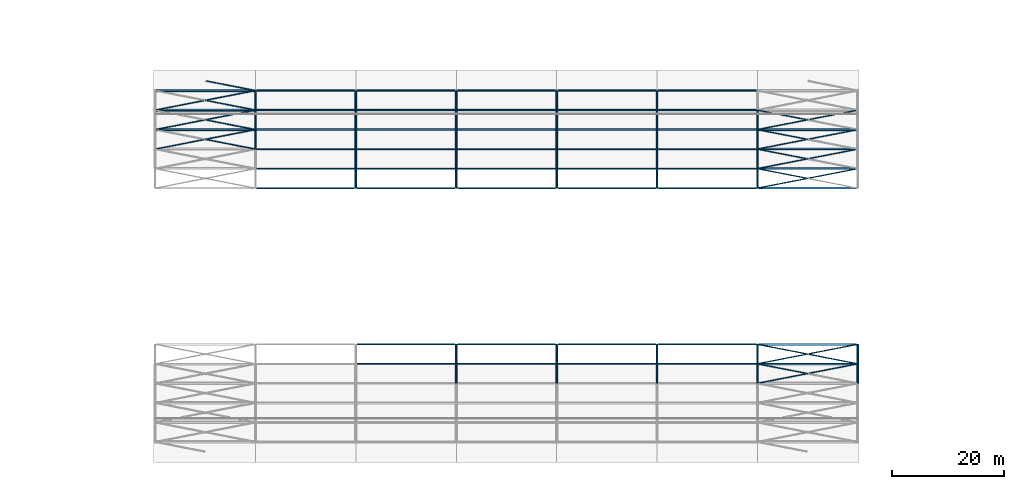
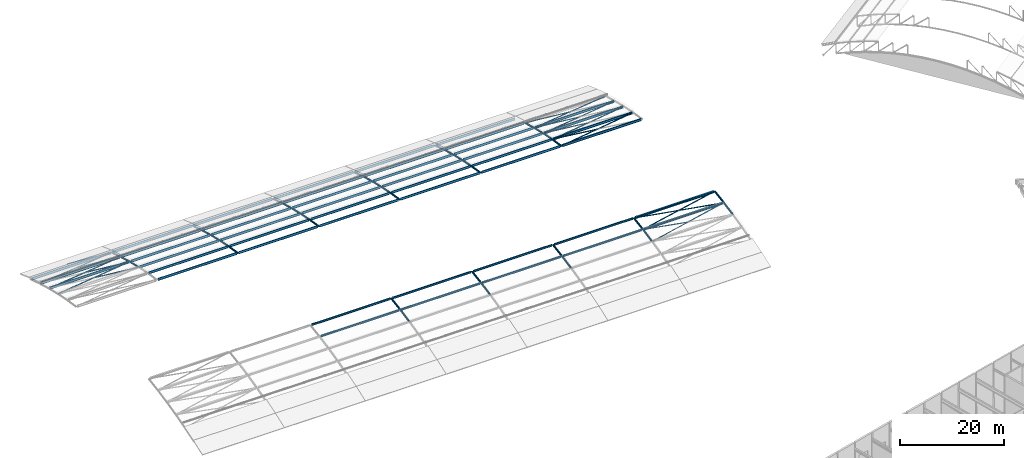
# One storey, part 12 of 69: 104 members.
"""IFC4 building model written with IfcOpenShell, lengths in metres."""

from ifc_helpers import new_model, si_unit, direction, frame, origin, origin_2d, place, context, subcontext, project, spatial, hollow_circle, i_section, extrude, material, material_profile, profile_set, type_object, element, save


model = new_model("IFC4")

# Units and contexts
model_context = context("Model", 3, precision=1e-05, world=origin(), true_north=direction((0.0, 1.0)))
body_context = subcontext(model_context, "Body", "Model", "MODEL_VIEW")
ifc_project = project(units=[si_unit("LENGTHUNIT", "METRE"), si_unit("AREAUNIT", "SQUARE_METRE"), si_unit("VOLUMEUNIT", "CUBIC_METRE"), si_unit("PLANEANGLEUNIT", "RADIAN"), si_unit("MASSUNIT", "GRAM", prefix="KILO")], contexts=[model_context])

# Site, building, storey
site_placement = place(None, origin())
site = spatial("IfcSite", under=ifc_project, at=site_placement, CompositionType="ELEMENT")
building_placement = place(site_placement, origin())
building = spatial("IfcBuilding", under=site, at=building_placement, Name="Okhra Congress Centre", CompositionType="ELEMENT")
storey_placement = place(building_placement, frame((0.0, 0.0, 16.800048828125)))
storey = spatial("IfcBuildingStorey", under=building, at=storey_placement, Name="L03", CompositionType="ELEMENT", Elevation=16.800048828125)

# Members
ifc_material_1 = material(Name="Steel S355J2H", Category="steel")
ifc_material_profile_1 = material_profile(ifc_material_1, hollow_circle(Radius=0.06982421875, WallThickness=0.00634765625, at=origin_2d()), Name="CHS 139.7x6.3")
ifc_profile_set_1 = profile_set([ifc_material_profile_1], Name="Steel S355J2H")
member_type_1 = type_object("IfcMemberType", Name="CHS 139.7x6.3", PredefinedType="BRACE", material=ifc_profile_set_1)
member_1_placement = place(storey_placement, frame((28.185546875, 195.0361328125, 3.7275390625), z_axis=(0.980610453265, 0.190668219087, -0.045263331497), x_axis=(-0.190863837306, 0.981616521667, 0.0)))
element("IfcMember", 1, at=member_1_placement, inside=storey, type_object=member_type_1, Name="EH.MEM.L03.XB1-19-1", PredefinedType="BRACE", context=body_context, shape_type="SweptSolid", body=[
    extrude(hollow_circle(Radius=0.06982421875, WallThickness=0.00634765625, at=origin_2d()), origin(), (0.0, 0.0, 1.0), 17.9775390625),
])
member_2_placement = place(storey_placement, frame((45.814453125, 195.0361328125, 3.7275390625), z_axis=(-0.98061091853, 0.190666660568, -0.045259816699), x_axis=(-0.190862246763, -0.981616830928, 0.0)))
element("IfcMember", 2, at=member_2_placement, inside=storey, type_object=member_type_1, Name="EH.MEM.L03.XB1-19-2a", PredefinedType="BRACE", context=body_context, shape_type="SweptSolid", body=[
    extrude(hollow_circle(Radius=0.06982421875, WallThickness=0.00634765625, at=origin_2d()), origin(), (0.0, 0.0, 1.0), 8.824951171875),
])
member_3_placement = place(storey_placement, frame((28.185546875, 198.5361328125, 2.895263671875), z_axis=(0.980253173661, 0.190598750252, -0.052686164511), x_axis=(-0.190863837306, 0.981616521667, 0.0)))
element("IfcMember", 3, at=member_3_placement, inside=storey, type_object=member_type_1, Name="EH.MEM.L03.XB1-20-1", PredefinedType="BRACE", context=body_context, shape_type="SweptSolid", body=[
    extrude(hollow_circle(Radius=0.06982421875, WallThickness=0.00634765625, at=origin_2d()), origin(), (0.0, 0.0, 1.0), 17.984130859375),
])
member_4_placement = place(storey_placement, frame((45.814453125, 198.5361328125, 2.895263671875), z_axis=(-0.980256075454, 0.190587683076, -0.052672208945), x_axis=(-0.190852614039, -0.981618703833, 0.0)))
element("IfcMember", 4, at=member_4_placement, inside=storey, type_object=member_type_1, Name="EH.MEM.L03.XB1-20-2a", PredefinedType="BRACE", context=body_context, shape_type="SweptSolid", body=[
    extrude(hollow_circle(Radius=0.06982421875, WallThickness=0.00634765625, at=origin_2d()), origin(), (0.0, 0.0, 1.0), 8.829833984375),
])
member_5_placement = place(storey_placement, frame((28.185546875, 202.0361328125, 1.92626953125), z_axis=(0.97982688214, 0.190515862858, -0.06035716225), x_axis=(-0.190863837306, 0.981616521667, 0.0)))
element("IfcMember", 5, at=member_5_placement, inside=storey, type_object=member_type_1, Name="EH.MEM.L03.XB1-21-1", PredefinedType="BRACE", context=body_context, shape_type="SweptSolid", body=[
    extrude(hollow_circle(Radius=0.06982421875, WallThickness=0.00634765625, at=origin_2d()), origin(), (0.0, 0.0, 1.0), 17.991943359375),
])
member_6_placement = place(storey_placement, frame((45.814453125, 202.0361328125, 1.92626953125), z_axis=(-0.979826295079, 0.190521779599, -0.060348015467), x_axis=(-0.190869659102, -0.981615389669, 0.0)))
element("IfcMember", 6, at=member_6_placement, inside=storey, type_object=member_type_1, Name="EH.MEM.L03.XB1-21-2a", PredefinedType="BRACE", context=body_context, shape_type="SweptSolid", body=[
    extrude(hollow_circle(Radius=0.06982421875, WallThickness=0.00634765625, at=origin_2d()), origin(), (0.0, 0.0, 1.0), 8.83544921875),
])
member_7_placement = place(storey_placement, frame((45.814453125, 205.5361328125, 0.816162109375), z_axis=(-0.979323118912, 0.190430842458, -0.068281205364), x_axis=(-0.190876325854, -0.981614093332, 0.0)))
element("IfcMember", 7, at=member_7_placement, inside=storey, type_object=member_type_1, Name="EH.MEM.L03.XB1-22-2a", PredefinedType="BRACE", context=body_context, shape_type="SweptSolid", body=[
    extrude(hollow_circle(Radius=0.06982421875, WallThickness=0.00634765625, at=origin_2d()), origin(), (0.0, 0.0, 1.0), 8.84228515625),
])
member_8_placement = place(storey_placement, frame((136.185546875, 153.0361328125, 3.7431640625), z_axis=(0.980907189867, 0.190725916044, 0.038009338539), x_axis=(-0.190863837306, 0.981616521667, 0.0)))
element("IfcMember", 8, at=member_8_placement, inside=storey, type_object=member_type_1, Name="EH.MEM.L03.XB7-07-1", PredefinedType="BRACE", context=body_context, shape_type="SweptSolid", body=[
    extrude(hollow_circle(Radius=0.06982421875, WallThickness=0.00634765625, at=origin_2d()), origin(), (0.0, 0.0, 1.0), 17.971923828125),
])
member_9_placement = place(storey_placement, frame((144.838134765625, 154.781494140625, 4.091064453125), z_axis=(-0.980907961626, 0.190723646725, 0.038000807859), x_axis=(-0.190861504377, -0.981616975274, 0.0)))
element("IfcMember", 9, at=member_9_placement, inside=storey, type_object=member_type_1, Name="EH.MEM.L03.XB7-07-2b", PredefinedType="BRACE", context=body_context, shape_type="SweptSolid", body=[
    extrude(hollow_circle(Radius=0.06982421875, WallThickness=0.00634765625, at=origin_2d()), origin(), (0.0, 0.0, 1.0), 8.821044921875),
])
member_10_placement = place(storey_placement, frame((136.185546875, 156.5361328125, 4.439208984375), z_axis=(0.981147821902, 0.190772704126, 0.030898655925), x_axis=(-0.190863837306, 0.981616521667, 0.0)))
element("IfcMember", 10, at=member_10_placement, inside=storey, type_object=member_type_1, Name="EH.MEM.L03.XB7-08-1", PredefinedType="BRACE", context=body_context, shape_type="SweptSolid", body=[
    extrude(hollow_circle(Radius=0.06982421875, WallThickness=0.00634765625, at=origin_2d()), origin(), (0.0, 0.0, 1.0), 17.967529296875),
])
for number, where, z_axis, x_axis, name in (
    (11, (153.814453125, 156.5361328125, 4.439208984375), (-0.981148388072, 0.190769623937, 0.030899695256), (-0.190860761781, -0.981617119661, 0.0), "EH.MEM.L03.XB7-08-2a"),
    (12, (144.8369140625, 158.28173828125, 4.721923828125), (-0.981148388072, 0.190769623937, 0.030899695256), (-0.190860761781, -0.981617119661, 0.0), "EH.MEM.L03.XB7-08-2b"),
):
    element("IfcMember", number, at=place(storey_placement, frame(where, z_axis=z_axis, x_axis=x_axis)), inside=storey, type_object=member_type_1, Name=name, PredefinedType="BRACE", context=body_context, shape_type="SweptSolid", body=[
        extrude(hollow_circle(Radius=0.06982421875, WallThickness=0.00634765625, at=origin_2d()), origin(), (0.0, 0.0, 1.0), 8.817626953125),
    ])
member_11_placement = place(storey_placement, frame((136.185546875, 188.0361328125, 4.994384765625), z_axis=(0.981147821902, 0.190772704126, -0.030898655925), x_axis=(-0.190863837306, 0.981616521667, 0.0)))
element("IfcMember", 13, at=member_11_placement, inside=storey, type_object=member_type_1, Name="EH.MEM.L03.XB7-17-1", PredefinedType="BRACE", context=body_context, shape_type="SweptSolid", body=[
    extrude(hollow_circle(Radius=0.06982421875, WallThickness=0.00634765625, at=origin_2d()), origin(), (0.0, 0.0, 1.0), 17.967529296875),
])
member_12_placement = place(storey_placement, frame((144.8369140625, 189.78173828125, 4.711669921875), z_axis=(-0.981148388072, 0.190769623937, -0.030899695256), x_axis=(-0.190860761781, -0.981617119661, 0.0)))
element("IfcMember", 14, at=member_12_placement, inside=storey, type_object=member_type_1, Name="EH.MEM.L03.XB7-17-2b", PredefinedType="BRACE", context=body_context, shape_type="SweptSolid", body=[
    extrude(hollow_circle(Radius=0.06982421875, WallThickness=0.00634765625, at=origin_2d()), origin(), (0.0, 0.0, 1.0), 8.817626953125),
])
member_13_placement = place(storey_placement, frame((136.185546875, 191.5361328125, 4.42626953125), z_axis=(0.980907189867, 0.190725916044, -0.038009338539), x_axis=(-0.190863837306, 0.981616521667, 0.0)))
element("IfcMember", 15, at=member_13_placement, inside=storey, type_object=member_type_1, Name="EH.MEM.L03.XB7-18-1", PredefinedType="BRACE", context=body_context, shape_type="SweptSolid", body=[
    extrude(hollow_circle(Radius=0.06982421875, WallThickness=0.00634765625, at=origin_2d()), origin(), (0.0, 0.0, 1.0), 17.971923828125),
])
member_14_placement = place(storey_placement, frame((144.838134765625, 193.281494140625, 4.078369140625), z_axis=(-0.980907961626, 0.190723646725, -0.038000807859), x_axis=(-0.190861504377, -0.981616975274, 0.0)))
element("IfcMember", 16, at=member_14_placement, inside=storey, type_object=member_type_1, Name="EH.MEM.L03.XB7-18-2b", PredefinedType="BRACE", context=body_context, shape_type="SweptSolid", body=[
    extrude(hollow_circle(Radius=0.06982421875, WallThickness=0.00634765625, at=origin_2d()), origin(), (0.0, 0.0, 1.0), 8.821044921875),
])
member_15_placement = place(storey_placement, frame((136.185546875, 195.0361328125, 3.7275390625), z_axis=(0.980610453265, 0.190668219087, -0.045263331497), x_axis=(-0.190863837306, 0.981616521667, 0.0)))
element("IfcMember", 17, at=member_15_placement, inside=storey, type_object=member_type_1, Name="EH.MEM.L03.XB7-19-1", PredefinedType="BRACE", context=body_context, shape_type="SweptSolid", body=[
    extrude(hollow_circle(Radius=0.06982421875, WallThickness=0.00634765625, at=origin_2d()), origin(), (0.0, 0.0, 1.0), 17.9775390625),
])
member_16_placement = place(storey_placement, frame((144.83935546875, 196.78125, 3.313232421875), z_axis=(-0.98061091853, 0.190666660568, -0.045259816699), x_axis=(-0.190862246763, -0.981616830928, 0.0)))
element("IfcMember", 18, at=member_16_placement, inside=storey, type_object=member_type_1, Name="EH.MEM.L03.XB7-19-2b", PredefinedType="BRACE", context=body_context, shape_type="SweptSolid", body=[
    extrude(hollow_circle(Radius=0.06982421875, WallThickness=0.00634765625, at=origin_2d()), origin(), (0.0, 0.0, 1.0), 8.824951171875),
])
member_17_placement = place(storey_placement, frame((136.185546875, 198.5361328125, 2.895263671875), z_axis=(0.980253173661, 0.190598750252, -0.052686164511), x_axis=(-0.190863837306, 0.981616521667, 0.0)))
element("IfcMember", 19, at=member_17_placement, inside=storey, type_object=member_type_1, Name="EH.MEM.L03.XB7-20-1", PredefinedType="BRACE", context=body_context, shape_type="SweptSolid", body=[
    extrude(hollow_circle(Radius=0.06982421875, WallThickness=0.00634765625, at=origin_2d()), origin(), (0.0, 0.0, 1.0), 17.984130859375),
])
member_18_placement = place(storey_placement, frame((144.841064453125, 200.281005859375, 2.4130859375), z_axis=(-0.980254647479, 0.19058740544, -0.052699781629), x_axis=(-0.190852614039, -0.981618703833, 0.0)))
element("IfcMember", 20, at=member_18_placement, inside=storey, type_object=member_type_1, Name="EH.MEM.L03.XB7-20-2b", PredefinedType="BRACE", context=body_context, shape_type="SweptSolid", body=[
    extrude(hollow_circle(Radius=0.06982421875, WallThickness=0.00634765625, at=origin_2d()), origin(), (0.0, 0.0, 1.0), 8.829833984375),
])
ifc_material_profile_2 = material_profile(ifc_material_1, hollow_circle(Radius=0.203125, WallThickness=0.01611328125, at=origin_2d()), Name="CHS 406.4x16.0")
ifc_profile_set_2 = profile_set([ifc_material_profile_2], Name="Steel S355J2H")
member_type_2 = type_object("IfcMemberType", Name="CHS 406.4x16.0", PredefinedType="CHORD", material=ifc_profile_set_2)
member_19_placement = place(storey_placement, frame((46.0, 195.0, 3.736083984375), z_axis=(0.0, 0.972964008489, -0.230956788566), x_axis=(-1.0, 0.0, 0.0)))
element("IfcMember", 21, at=member_19_placement, inside=storey, type_object=member_type_2, Name="EH.MEM.L03.T2-TOP-19", PredefinedType="CHORD", context=body_context, shape_type="SweptSolid", body=[
    extrude(hollow_circle(Radius=0.203125, WallThickness=0.01611328125, at=origin_2d()), origin(), (0.0, 0.0, 1.0), 3.59716796875),
])
member_20_placement = place(storey_placement, frame((46.0, 198.5, 2.9052734375), z_axis=(0.0, 0.96385043732, -0.266443867404), x_axis=(-1.0, 0.0, 0.0)))
element("IfcMember", 22, at=member_20_placement, inside=storey, type_object=member_type_2, Name="EH.MEM.L03.T2-TOP-20", PredefinedType="CHORD", context=body_context, shape_type="SweptSolid", body=[
    extrude(hollow_circle(Radius=0.203125, WallThickness=0.01611328125, at=origin_2d()), origin(), (0.0, 0.0, 1.0), 3.63134765625),
])
member_21_placement = place(storey_placement, frame((64.0, 188.0, 5.000244140625), z_axis=(0.0, 0.987135453692, -0.159886197229), x_axis=(-1.0, 0.0, 0.0)))
element("IfcMember", 23, at=member_21_placement, inside=storey, type_object=member_type_2, Name="EH.MEM.L03.T3-TOP-17", PredefinedType="CHORD", context=body_context, shape_type="SweptSolid", body=[
    extrude(hollow_circle(Radius=0.203125, WallThickness=0.01611328125, at=origin_2d()), origin(), (0.0, 0.0, 1.0), 3.545654296875),
])
member_22_placement = place(storey_placement, frame((64.0, 191.5, 4.433349609375), z_axis=(0.0, 0.980727743848, -0.19537935522), x_axis=(-1.0, 0.0, 0.0)))
element("IfcMember", 24, at=member_22_placement, inside=storey, type_object=member_type_2, Name="EH.MEM.L03.T3-TOP-18", PredefinedType="CHORD", context=body_context, shape_type="SweptSolid", body=[
    extrude(hollow_circle(Radius=0.203125, WallThickness=0.01611328125, at=origin_2d()), origin(), (0.0, 0.0, 1.0), 3.56884765625),
])
member_23_placement = place(storey_placement, frame((64.0, 195.0, 3.736083984375), z_axis=(0.0, 0.972964008489, -0.230956788566), x_axis=(-1.0, 0.0, 0.0)))
element("IfcMember", 25, at=member_23_placement, inside=storey, type_object=member_type_2, Name="EH.MEM.L03.T3-TOP-19", PredefinedType="CHORD", context=body_context, shape_type="SweptSolid", body=[
    extrude(hollow_circle(Radius=0.203125, WallThickness=0.01611328125, at=origin_2d()), origin(), (0.0, 0.0, 1.0), 3.59716796875),
])
member_24_placement = place(storey_placement, frame((64.0, 198.5, 2.9052734375), z_axis=(0.0, 0.96385043732, -0.266443867404), x_axis=(-1.0, 0.0, 0.0)))
element("IfcMember", 26, at=member_24_placement, inside=storey, type_object=member_type_2, Name="EH.MEM.L03.T3-TOP-20", PredefinedType="CHORD", context=body_context, shape_type="SweptSolid", body=[
    extrude(hollow_circle(Radius=0.203125, WallThickness=0.01611328125, at=origin_2d()), origin(), (0.0, 0.0, 1.0), 3.63134765625),
])
member_25_placement = place(storey_placement, frame((82.0, 153.0, 3.736083984375), z_axis=(0.0, 0.980727743848, 0.19537935522), x_axis=(-1.0, 0.0, 0.0)))
element("IfcMember", 27, at=member_25_placement, inside=storey, type_object=member_type_2, Name="EH.MEM.L03.T4-TOP-07", PredefinedType="CHORD", context=body_context, shape_type="SweptSolid", body=[
    extrude(hollow_circle(Radius=0.203125, WallThickness=0.01611328125, at=origin_2d()), origin(), (0.0, 0.0, 1.0), 3.56884765625),
])
for number, where, z_axis, x_axis, name in (
    (28, (82.0, 156.5, 4.433349609375), (0.0, 0.987135453692, 0.159886197229), (-1.0, 0.0, 0.0), "EH.MEM.L03.T4-TOP-08"),
    (29, (82.0, 188.0, 5.000244140625), (0.0, 0.987135453692, -0.159886197229), (-1.0, 0.0, 0.0), "EH.MEM.L03.T4-TOP-17"),
):
    element("IfcMember", number, at=place(storey_placement, frame(where, z_axis=z_axis, x_axis=x_axis)), inside=storey, type_object=member_type_2, Name=name, PredefinedType="CHORD", context=body_context, shape_type="SweptSolid", body=[
        extrude(hollow_circle(Radius=0.203125, WallThickness=0.01611328125, at=origin_2d()), origin(), (0.0, 0.0, 1.0), 3.545654296875),
    ])
member_26_placement = place(storey_placement, frame((82.0, 191.5, 4.433349609375), z_axis=(0.0, 0.980727743848, -0.19537935522), x_axis=(-1.0, 0.0, 0.0)))
element("IfcMember", 30, at=member_26_placement, inside=storey, type_object=member_type_2, Name="EH.MEM.L03.T4-TOP-18", PredefinedType="CHORD", context=body_context, shape_type="SweptSolid", body=[
    extrude(hollow_circle(Radius=0.203125, WallThickness=0.01611328125, at=origin_2d()), origin(), (0.0, 0.0, 1.0), 3.56884765625),
])
member_27_placement = place(storey_placement, frame((82.0, 195.0, 3.736083984375), z_axis=(0.0, 0.972964008489, -0.230956788566), x_axis=(-1.0, 0.0, 0.0)))
element("IfcMember", 31, at=member_27_placement, inside=storey, type_object=member_type_2, Name="EH.MEM.L03.T4-TOP-19", PredefinedType="CHORD", context=body_context, shape_type="SweptSolid", body=[
    extrude(hollow_circle(Radius=0.203125, WallThickness=0.01611328125, at=origin_2d()), origin(), (0.0, 0.0, 1.0), 3.59716796875),
])
member_28_placement = place(storey_placement, frame((82.0, 198.5, 2.9052734375), z_axis=(0.0, 0.96385043732, -0.266443867404), x_axis=(-1.0, 0.0, 0.0)))
element("IfcMember", 32, at=member_28_placement, inside=storey, type_object=member_type_2, Name="EH.MEM.L03.T4-TOP-20", PredefinedType="CHORD", context=body_context, shape_type="SweptSolid", body=[
    extrude(hollow_circle(Radius=0.203125, WallThickness=0.01611328125, at=origin_2d()), origin(), (0.0, 0.0, 1.0), 3.63134765625),
])
member_29_placement = place(storey_placement, frame((100.0, 153.0, 3.736083984375), z_axis=(0.0, 0.980727743848, 0.19537935522), x_axis=(-1.0, 0.0, 0.0)))
element("IfcMember", 33, at=member_29_placement, inside=storey, type_object=member_type_2, Name="EH.MEM.L03.T5-TOP-07", PredefinedType="CHORD", context=body_context, shape_type="SweptSolid", body=[
    extrude(hollow_circle(Radius=0.203125, WallThickness=0.01611328125, at=origin_2d()), origin(), (0.0, 0.0, 1.0), 3.56884765625),
])
for number, where, z_axis, x_axis, name in (
    (34, (100.0, 156.5, 4.433349609375), (0.0, 0.987135453692, 0.159886197229), (-1.0, 0.0, 0.0), "EH.MEM.L03.T5-TOP-08"),
    (35, (100.0, 188.0, 5.000244140625), (0.0, 0.987135453692, -0.159886197229), (-1.0, 0.0, 0.0), "EH.MEM.L03.T5-TOP-17"),
):
    element("IfcMember", number, at=place(storey_placement, frame(where, z_axis=z_axis, x_axis=x_axis)), inside=storey, type_object=member_type_2, Name=name, PredefinedType="CHORD", context=body_context, shape_type="SweptSolid", body=[
        extrude(hollow_circle(Radius=0.203125, WallThickness=0.01611328125, at=origin_2d()), origin(), (0.0, 0.0, 1.0), 3.545654296875),
    ])
member_30_placement = place(storey_placement, frame((100.0, 191.5, 4.433349609375), z_axis=(0.0, 0.980727743848, -0.19537935522), x_axis=(-1.0, 0.0, 0.0)))
element("IfcMember", 36, at=member_30_placement, inside=storey, type_object=member_type_2, Name="EH.MEM.L03.T5-TOP-18", PredefinedType="CHORD", context=body_context, shape_type="SweptSolid", body=[
    extrude(hollow_circle(Radius=0.203125, WallThickness=0.01611328125, at=origin_2d()), origin(), (0.0, 0.0, 1.0), 3.56884765625),
])
member_31_placement = place(storey_placement, frame((100.0, 195.0, 3.736083984375), z_axis=(0.0, 0.972964008489, -0.230956788566), x_axis=(-1.0, 0.0, 0.0)))
element("IfcMember", 37, at=member_31_placement, inside=storey, type_object=member_type_2, Name="EH.MEM.L03.T5-TOP-19", PredefinedType="CHORD", context=body_context, shape_type="SweptSolid", body=[
    extrude(hollow_circle(Radius=0.203125, WallThickness=0.01611328125, at=origin_2d()), origin(), (0.0, 0.0, 1.0), 3.59716796875),
])
member_32_placement = place(storey_placement, frame((100.0, 198.5, 2.9052734375), z_axis=(0.0, 0.96385043732, -0.266443867404), x_axis=(-1.0, 0.0, 0.0)))
element("IfcMember", 38, at=member_32_placement, inside=storey, type_object=member_type_2, Name="EH.MEM.L03.T5-TOP-20", PredefinedType="CHORD", context=body_context, shape_type="SweptSolid", body=[
    extrude(hollow_circle(Radius=0.203125, WallThickness=0.01611328125, at=origin_2d()), origin(), (0.0, 0.0, 1.0), 3.63134765625),
])
member_33_placement = place(storey_placement, frame((118.0, 153.0, 3.736083984375), z_axis=(0.0, 0.980727743848, 0.19537935522), x_axis=(-1.0, 0.0, 0.0)))
element("IfcMember", 39, at=member_33_placement, inside=storey, type_object=member_type_2, Name="EH.MEM.L03.T6-TOP-07", PredefinedType="CHORD", context=body_context, shape_type="SweptSolid", body=[
    extrude(hollow_circle(Radius=0.203125, WallThickness=0.01611328125, at=origin_2d()), origin(), (0.0, 0.0, 1.0), 3.56884765625),
])
for number, where, z_axis, x_axis, name in (
    (40, (118.0, 156.5, 4.433349609375), (0.0, 0.987135453692, 0.159886197229), (-1.0, 0.0, 0.0), "EH.MEM.L03.T6-TOP-08"),
    (41, (118.0, 188.0, 5.000244140625), (0.0, 0.987135453692, -0.159886197229), (-1.0, 0.0, 0.0), "EH.MEM.L03.T6-TOP-17"),
):
    element("IfcMember", number, at=place(storey_placement, frame(where, z_axis=z_axis, x_axis=x_axis)), inside=storey, type_object=member_type_2, Name=name, PredefinedType="CHORD", context=body_context, shape_type="SweptSolid", body=[
        extrude(hollow_circle(Radius=0.203125, WallThickness=0.01611328125, at=origin_2d()), origin(), (0.0, 0.0, 1.0), 3.545654296875),
    ])
member_34_placement = place(storey_placement, frame((118.0, 191.5, 4.433349609375), z_axis=(0.0, 0.980727743848, -0.19537935522), x_axis=(-1.0, 0.0, 0.0)))
element("IfcMember", 42, at=member_34_placement, inside=storey, type_object=member_type_2, Name="EH.MEM.L03.T6-TOP-18", PredefinedType="CHORD", context=body_context, shape_type="SweptSolid", body=[
    extrude(hollow_circle(Radius=0.203125, WallThickness=0.01611328125, at=origin_2d()), origin(), (0.0, 0.0, 1.0), 3.56884765625),
])
member_35_placement = place(storey_placement, frame((118.0, 195.0, 3.736083984375), z_axis=(0.0, 0.972964008489, -0.230956788566), x_axis=(-1.0, 0.0, 0.0)))
element("IfcMember", 43, at=member_35_placement, inside=storey, type_object=member_type_2, Name="EH.MEM.L03.T6-TOP-19", PredefinedType="CHORD", context=body_context, shape_type="SweptSolid", body=[
    extrude(hollow_circle(Radius=0.203125, WallThickness=0.01611328125, at=origin_2d()), origin(), (0.0, 0.0, 1.0), 3.59716796875),
])
member_36_placement = place(storey_placement, frame((118.0, 198.5, 2.9052734375), z_axis=(0.0, 0.96385043732, -0.266443867404), x_axis=(-1.0, 0.0, 0.0)))
element("IfcMember", 44, at=member_36_placement, inside=storey, type_object=member_type_2, Name="EH.MEM.L03.T6-TOP-20", PredefinedType="CHORD", context=body_context, shape_type="SweptSolid", body=[
    extrude(hollow_circle(Radius=0.203125, WallThickness=0.01611328125, at=origin_2d()), origin(), (0.0, 0.0, 1.0), 3.63134765625),
])
member_37_placement = place(storey_placement, frame((136.0, 153.0, 3.736083984375), z_axis=(0.0, 0.980727743848, 0.19537935522), x_axis=(-1.0, 0.0, 0.0)))
element("IfcMember", 45, at=member_37_placement, inside=storey, type_object=member_type_2, Name="EH.MEM.L03.T7-TOP-07", PredefinedType="CHORD", context=body_context, shape_type="SweptSolid", body=[
    extrude(hollow_circle(Radius=0.203125, WallThickness=0.01611328125, at=origin_2d()), origin(), (0.0, 0.0, 1.0), 3.56884765625),
])
for number, where, z_axis, x_axis, name in (
    (46, (136.0, 156.5, 4.433349609375), (0.0, 0.987135453692, 0.159886197229), (-1.0, 0.0, 0.0), "EH.MEM.L03.T7-TOP-08"),
    (47, (136.0, 188.0, 5.000244140625), (0.0, 0.987135453692, -0.159886197229), (-1.0, 0.0, 0.0), "EH.MEM.L03.T7-TOP-17"),
):
    element("IfcMember", number, at=place(storey_placement, frame(where, z_axis=z_axis, x_axis=x_axis)), inside=storey, type_object=member_type_2, Name=name, PredefinedType="CHORD", context=body_context, shape_type="SweptSolid", body=[
        extrude(hollow_circle(Radius=0.203125, WallThickness=0.01611328125, at=origin_2d()), origin(), (0.0, 0.0, 1.0), 3.545654296875),
    ])
member_38_placement = place(storey_placement, frame((136.0, 191.5, 4.433349609375), z_axis=(0.0, 0.980727743848, -0.19537935522), x_axis=(-1.0, 0.0, 0.0)))
element("IfcMember", 48, at=member_38_placement, inside=storey, type_object=member_type_2, Name="EH.MEM.L03.T7-TOP-18", PredefinedType="CHORD", context=body_context, shape_type="SweptSolid", body=[
    extrude(hollow_circle(Radius=0.203125, WallThickness=0.01611328125, at=origin_2d()), origin(), (0.0, 0.0, 1.0), 3.56884765625),
])
member_39_placement = place(storey_placement, frame((136.0, 195.0, 3.736083984375), z_axis=(0.0, 0.972964008489, -0.230956788566), x_axis=(-1.0, 0.0, 0.0)))
element("IfcMember", 49, at=member_39_placement, inside=storey, type_object=member_type_2, Name="EH.MEM.L03.T7-TOP-19", PredefinedType="CHORD", context=body_context, shape_type="SweptSolid", body=[
    extrude(hollow_circle(Radius=0.203125, WallThickness=0.01611328125, at=origin_2d()), origin(), (0.0, 0.0, 1.0), 3.59716796875),
])
member_40_placement = place(storey_placement, frame((136.0, 198.5, 2.9052734375), z_axis=(0.0, 0.96385043732, -0.266443867404), x_axis=(-1.0, 0.0, 0.0)))
element("IfcMember", 50, at=member_40_placement, inside=storey, type_object=member_type_2, Name="EH.MEM.L03.T7-TOP-20", PredefinedType="CHORD", context=body_context, shape_type="SweptSolid", body=[
    extrude(hollow_circle(Radius=0.203125, WallThickness=0.01611328125, at=origin_2d()), origin(), (0.0, 0.0, 1.0), 3.63134765625),
])
member_41_placement = place(storey_placement, frame((154.0, 153.0, 3.736083984375), z_axis=(0.0, 0.980727743848, 0.19537935522), x_axis=(-1.0, 0.0, 0.0)))
element("IfcMember", 51, at=member_41_placement, inside=storey, type_object=member_type_2, Name="EH.MEM.L03.T8-TOP-07", PredefinedType="CHORD", context=body_context, shape_type="SweptSolid", body=[
    extrude(hollow_circle(Radius=0.203125, WallThickness=0.01611328125, at=origin_2d()), origin(), (0.0, 0.0, 1.0), 3.56884765625),
])
member_42_placement = place(storey_placement, frame((154.0, 156.5, 4.433349609375), z_axis=(0.0, 0.987135453692, 0.159886197229), x_axis=(-1.0, 0.0, 0.0)))
element("IfcMember", 52, at=member_42_placement, inside=storey, type_object=member_type_2, Name="EH.MEM.L03.T8-TOP-08", PredefinedType="CHORD", context=body_context, shape_type="SweptSolid", body=[
    extrude(hollow_circle(Radius=0.203125, WallThickness=0.01611328125, at=origin_2d()), origin(), (0.0, 0.0, 1.0), 3.545654296875),
])
ifc_material_profile_3 = material_profile(ifc_material_1, hollow_circle(Radius=0.203125, WallThickness=0.02490234375, at=origin_2d()), Name="CHS 406.4x25.0")
ifc_profile_set_3 = profile_set([ifc_material_profile_3], Name="Steel S355J2H")
member_type_3 = type_object("IfcMemberType", Name="CHS 406.4x25.0", PredefinedType="CHORD", material=ifc_profile_set_3)
for number, where, z_axis, x_axis, name in (
    (53, (46.0, 202.0, 1.937744140625), (0.0, 0.953317980071, -0.301968258057), (-1.0, 0.0, 0.0), "EH.MEM.L03.T2-TOP-21"),
    (54, (64.0, 202.0, 1.937744140625), (0.0, 0.953317980071, -0.301968258057), (-1.0, 0.0, 0.0), "EH.MEM.L03.T3-TOP-21"),
    (55, (82.0, 202.0, 1.937744140625), (0.0, 0.953317980071, -0.301968258057), (-1.0, 0.0, 0.0), "EH.MEM.L03.T4-TOP-21"),
    (56, (100.0, 202.0, 1.937744140625), (0.0, 0.953317980071, -0.301968258057), (-1.0, 0.0, 0.0), "EH.MEM.L03.T5-TOP-21"),
    (57, (118.0, 202.0, 1.937744140625), (0.0, 0.953317980071, -0.301968258057), (-1.0, 0.0, 0.0), "EH.MEM.L03.T6-TOP-21"),
):
    element("IfcMember", number, at=place(storey_placement, frame(where, z_axis=z_axis, x_axis=x_axis)), inside=storey, type_object=member_type_3, Name=name, PredefinedType="CHORD", context=body_context, shape_type="SweptSolid", body=[
        extrude(hollow_circle(Radius=0.203125, WallThickness=0.02490234375, at=origin_2d()), origin(), (0.0, 0.0, 1.0), 3.67138671875),
    ])
ifc_material_2 = material(Name="Steel S355J2", Category="steel")
ifc_material_profile_4 = material_profile(ifc_material_2, i_section(OverallWidth=0.300048828125, OverallDepth=0.5, WebThickness=0.014404296875, FlangeThickness=0.028076171875, at=origin_2d()), Name="HE 500 B")
ifc_profile_set_4 = profile_set([ifc_material_profile_4], Name="Steel S355J2")
member_type_4 = type_object("IfcMemberType", Name="HE 500 B", PredefinedType="PURLIN", material=ifc_profile_set_4)
for number, where, z_axis, x_axis, name in (
    (58, (28.203125, 198.5, 2.9052734375), (1.0, 0.0, 0.0), (0.0, 0.96857042866, -0.248739471587), "EH.MEM.L03.PU1-20"),
    (59, (28.203125, 202.0, 1.937744140625), (1.0, 0.0, 0.0), (0.0, 0.958742588403, -0.284275657035), "EH.MEM.L03.PU1-21"),
    (60, (28.203125, 205.5, 0.8291015625), (1.0, 0.0, 0.0), (0.0, 0.94748076881, -0.319812746362), "EH.MEM.L03.PU1-22"),
    (61, (136.203125, 156.5, 4.433349609375), (1.0, 0.0, 0.0), (0.0, 0.984090272104, 0.177669176702), "EH.MEM.L03.PU7-08"),
    (62, (136.203125, 160.0, 5.000244140625), (1.0, 0.0, 0.0), (0.0, 0.989847310331, 0.142134803025), "EH.MEM.L03.PU7-09"),
    (63, (136.203125, 188.0, 5.000244140625), (1.0, 0.0, 0.0), (0.0, 0.989847310331, -0.142134803025), "EH.MEM.L03.PU7-17"),
    (64, (136.203125, 191.5, 4.433349609375), (1.0, 0.0, 0.0), (0.0, 0.984090272104, -0.177669176702), "EH.MEM.L03.PU7-18"),
    (65, (136.203125, 195.0, 3.736083984375), (1.0, 0.0, 0.0), (0.0, 0.977007698866, -0.21320402519), "EH.MEM.L03.PU7-19"),
    (66, (136.203125, 198.5, 2.9052734375), (1.0, 0.0, 0.0), (0.0, 0.96857042866, -0.248739471587), "EH.MEM.L03.PU7-20"),
):
    element("IfcMember", number, at=place(storey_placement, frame(where, z_axis=z_axis, x_axis=x_axis)), inside=storey, type_object=member_type_4, Name=name, PredefinedType="PURLIN", context=body_context, shape_type="SweptSolid", body=[
        extrude(i_section(OverallWidth=0.300048828125, OverallDepth=0.5, WebThickness=0.014404296875, FlangeThickness=0.028076171875, at=origin_2d()), origin(), (0.0, 0.0, 1.0), 17.59375),
    ])
ifc_material_profile_5 = material_profile(ifc_material_2, i_section(OverallWidth=0.199951171875, OverallDepth=0.5, WebThickness=0.01025390625, FlangeThickness=0.01611328125, at=origin_2d()), Name="IPE 500")
ifc_profile_set_5 = profile_set([ifc_material_profile_5], Name="Steel S355J2")
member_type_5 = type_object("IfcMemberType", Name="IPE 500", PredefinedType="PURLIN", material=ifc_profile_set_5)
for number, where, z_axis, x_axis, name in (
    (67, (46.203125, 188.0, 5.000244140625), (1.0, 0.0, 0.0), (0.0, 0.989847310331, -0.142134803025), "EH.MEM.L03.PU2-17"),
    (68, (46.203125, 191.5, 4.433349609375), (1.0, 0.0, 0.0), (0.0, 0.984090272104, -0.177669176702), "EH.MEM.L03.PU2-18"),
    (69, (46.203125, 195.0, 3.736083984375), (1.0, 0.0, 0.0), (0.0, 0.977007698866, -0.21320402519), "EH.MEM.L03.PU2-19"),
    (70, (46.203125, 198.5, 2.9052734375), (1.0, 0.0, 0.0), (0.0, 0.96857042866, -0.248739471587), "EH.MEM.L03.PU2-20"),
    (71, (46.203125, 202.0, 1.937744140625), (1.0, 0.0, 0.0), (0.0, 0.958742588403, -0.284275657035), "EH.MEM.L03.PU2-21"),
    (72, (46.203125, 205.5, 0.8291015625), (1.0, 0.0, 0.0), (0.0, 0.94748076881, -0.319812746362), "EH.MEM.L03.PU2-22"),
    (73, (64.203125, 156.5, 4.433349609375), (1.0, 0.0, 0.0), (0.0, 0.984090272104, 0.177669176702), "EH.MEM.L03.PU3-08"),
    (74, (64.203125, 160.0, 5.000244140625), (1.0, 0.0, 0.0), (0.0, 0.989847310331, 0.142134803025), "EH.MEM.L03.PU3-09"),
    (75, (64.203125, 188.0, 5.000244140625), (1.0, 0.0, 0.0), (0.0, 0.989847310331, -0.142134803025), "EH.MEM.L03.PU3-17"),
    (76, (64.203125, 191.5, 4.433349609375), (1.0, 0.0, 0.0), (0.0, 0.984090272104, -0.177669176702), "EH.MEM.L03.PU3-18"),
    (77, (64.203125, 195.0, 3.736083984375), (1.0, 0.0, 0.0), (0.0, 0.977007698866, -0.21320402519), "EH.MEM.L03.PU3-19"),
    (78, (64.203125, 198.5, 2.9052734375), (1.0, 0.0, 0.0), (0.0, 0.96857042866, -0.248739471587), "EH.MEM.L03.PU3-20"),
    (79, (64.203125, 202.0, 1.937744140625), (1.0, 0.0, 0.0), (0.0, 0.958742588403, -0.284275657035), "EH.MEM.L03.PU3-21"),
    (80, (64.203125, 205.5, 0.8291015625), (1.0, 0.0, 0.0), (0.0, 0.94748076881, -0.319812746362), "EH.MEM.L03.PU3-22"),
    (81, (82.203125, 156.5, 4.433349609375), (1.0, 0.0, 0.0), (0.0, 0.984090272104, 0.177669176702), "EH.MEM.L03.PU4-08"),
    (82, (82.203125, 160.0, 5.000244140625), (1.0, 0.0, 0.0), (0.0, 0.989847310331, 0.142134803025), "EH.MEM.L03.PU4-09"),
    (83, (82.203125, 188.0, 5.000244140625), (1.0, 0.0, 0.0), (0.0, 0.989847310331, -0.142134803025), "EH.MEM.L03.PU4-17"),
    (84, (82.203125, 191.5, 4.433349609375), (1.0, 0.0, 0.0), (0.0, 0.984090272104, -0.177669176702), "EH.MEM.L03.PU4-18"),
    (85, (82.203125, 195.0, 3.736083984375), (1.0, 0.0, 0.0), (0.0, 0.977007698866, -0.21320402519), "EH.MEM.L03.PU4-19"),
    (86, (82.203125, 198.5, 2.9052734375), (1.0, 0.0, 0.0), (0.0, 0.96857042866, -0.248739471587), "EH.MEM.L03.PU4-20"),
    (87, (82.203125, 202.0, 1.937744140625), (1.0, 0.0, 0.0), (0.0, 0.958742588403, -0.284275657035), "EH.MEM.L03.PU4-21"),
    (88, (82.203125, 205.5, 0.8291015625), (1.0, 0.0, 0.0), (0.0, 0.94748076881, -0.319812746362), "EH.MEM.L03.PU4-22"),
    (89, (100.203125, 156.5, 4.433349609375), (1.0, 0.0, 0.0), (0.0, 0.984090272104, 0.177669176702), "EH.MEM.L03.PU5-08"),
    (90, (100.203125, 160.0, 5.000244140625), (1.0, 0.0, 0.0), (0.0, 0.989847310331, 0.142134803025), "EH.MEM.L03.PU5-09"),
    (91, (100.203125, 188.0, 5.000244140625), (1.0, 0.0, 0.0), (0.0, 0.989847310331, -0.142134803025), "EH.MEM.L03.PU5-17"),
    (92, (100.203125, 191.5, 4.433349609375), (1.0, 0.0, 0.0), (0.0, 0.984090272104, -0.177669176702), "EH.MEM.L03.PU5-18"),
    (93, (100.203125, 195.0, 3.736083984375), (1.0, 0.0, 0.0), (0.0, 0.977007698866, -0.21320402519), "EH.MEM.L03.PU5-19"),
    (94, (100.203125, 198.5, 2.9052734375), (1.0, 0.0, 0.0), (0.0, 0.96857042866, -0.248739471587), "EH.MEM.L03.PU5-20"),
    (95, (100.203125, 202.0, 1.937744140625), (1.0, 0.0, 0.0), (0.0, 0.958742588403, -0.284275657035), "EH.MEM.L03.PU5-21"),
    (96, (100.203125, 205.5, 0.8291015625), (1.0, 0.0, 0.0), (0.0, 0.94748076881, -0.319812746362), "EH.MEM.L03.PU5-22"),
    (97, (118.203125, 156.5, 4.433349609375), (1.0, 0.0, 0.0), (0.0, 0.984090272104, 0.177669176702), "EH.MEM.L03.PU6-08"),
    (98, (118.203125, 160.0, 5.000244140625), (1.0, 0.0, 0.0), (0.0, 0.989847310331, 0.142134803025), "EH.MEM.L03.PU6-09"),
    (99, (118.203125, 188.0, 5.000244140625), (1.0, 0.0, 0.0), (0.0, 0.989847310331, -0.142134803025), "EH.MEM.L03.PU6-17"),
    (100, (118.203125, 191.5, 4.433349609375), (1.0, 0.0, 0.0), (0.0, 0.984090272104, -0.177669176702), "EH.MEM.L03.PU6-18"),
    (101, (118.203125, 195.0, 3.736083984375), (1.0, 0.0, 0.0), (0.0, 0.977007698866, -0.21320402519), "EH.MEM.L03.PU6-19"),
    (102, (118.203125, 198.5, 2.9052734375), (1.0, 0.0, 0.0), (0.0, 0.96857042866, -0.248739471587), "EH.MEM.L03.PU6-20"),
    (103, (118.203125, 202.0, 1.937744140625), (1.0, 0.0, 0.0), (0.0, 0.958742588403, -0.284275657035), "EH.MEM.L03.PU6-21"),
    (104, (118.203125, 205.5, 0.8291015625), (1.0, 0.0, 0.0), (0.0, 0.94748076881, -0.319812746362), "EH.MEM.L03.PU6-22"),
):
    element("IfcMember", number, at=place(storey_placement, frame(where, z_axis=z_axis, x_axis=x_axis)), inside=storey, type_object=member_type_5, Name=name, PredefinedType="PURLIN", context=body_context, shape_type="SweptSolid", body=[
        extrude(i_section(OverallWidth=0.199951171875, OverallDepth=0.5, WebThickness=0.01025390625, FlangeThickness=0.01611328125, at=origin_2d()), origin(), (0.0, 0.0, 1.0), 17.59375),
    ])

save(model, "model.ifc")
